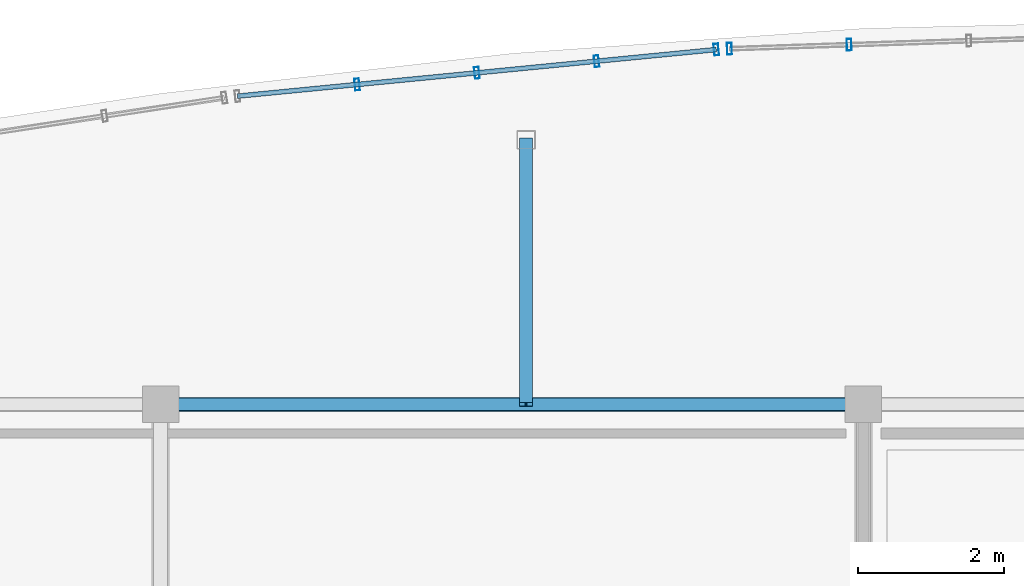
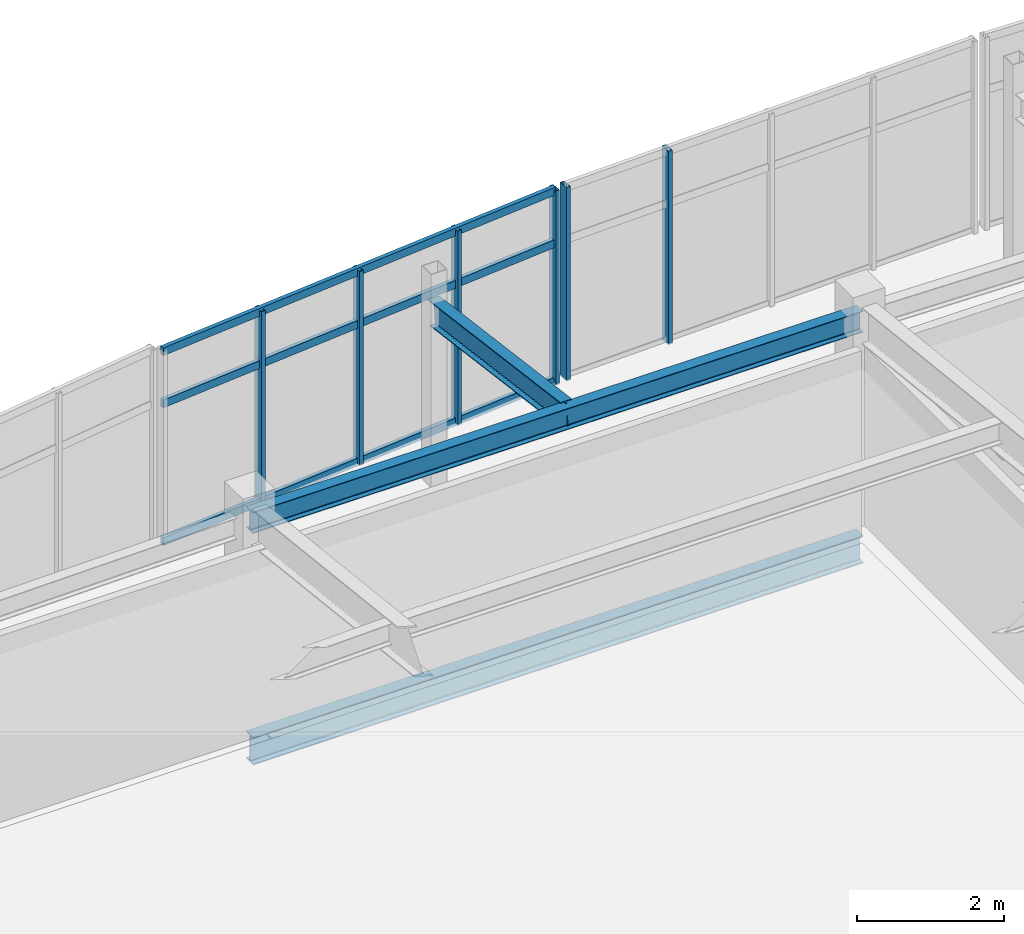
# One storey, part 45 of 65: 11 members, 1 beam, 2 elements without a shape of their own.
"""IFC4 building model written with IfcOpenShell, lengths in metres."""

import ifcopenshell
import ifcopenshell.guid

model = None  # the IFC model being written
_history = None  # IfcOwnerHistory: only IFC2X3 demands one
_inside = {}  # id of a spatial element -> (the spatial element, [elements in it])
_under = {}  # id of a project, library or spatial element -> (it, [spatial elements below it])
_declared = {}  # id of a project -> (the project, [libraries it declares])
_typed = {}  # id of a type object -> (the type object, [elements of that type])
_made_of = {}  # id of a material, layer set ... -> (it, [elements and type objects made of it])


def new_model(schema):
    """Start an empty IFC model of exactly this schema.

    Asked for "IFC4X3", IfcOpenShell would pick the latest addendum, in which some entities
    have other attributes; the version numbers below select the first issue.
    IFC2X3 requires an IfcOwnerHistory on every rooted entity: one is made here for all.
    """
    global model, _history
    if schema == "IFC4X3":
        model = ifcopenshell.file(schema_version=(4, 3, 0, 0))
    else:
        model = ifcopenshell.file(schema=schema)
    _inside.clear()
    _under.clear()
    _declared.clear()
    _typed.clear()
    _made_of.clear()
    _history = None
    if model.schema == "IFC2X3":
        org = make("IfcOrganization", Name="unknown")
        user = make(
            "IfcPersonAndOrganization",
            ThePerson=make("IfcPerson", FamilyName="unknown"),
            TheOrganization=org,
        )
        app = make(
            "IfcApplication",
            ApplicationDeveloper=org,
            Version="unknown",
            ApplicationFullName="unknown",
            ApplicationIdentifier="unknown",
        )
        _history = make(
            "IfcOwnerHistory",
            OwningUser=user,
            OwningApplication=app,
            ChangeAction="ADDED",
            CreationDate=0,
        )
    return model


def make(cls, **values):
    """One entity of the class cls with the attributes given. An attribute that is None is left unset."""
    return model.create_entity(
        cls, **{name: value for name, value in values.items() if value is not None}
    )


def rooted(cls, **values):
    """An entity with a GlobalId (a new one), such as an element, a storey or a relation."""
    return make(cls, GlobalId=ifcopenshell.guid.new(), OwnerHistory=_history, **values)


def si_unit(unit_type, name, prefix=None):
    """IfcSIUnit, for example si_unit("LENGTHUNIT", "METRE", prefix="MILLI")."""
    return make("IfcSIUnit", UnitType=unit_type, Prefix=prefix, Name=name)


def assignment(units):
    """IfcUnitAssignment: the units of a project."""
    return None if units is None else make("IfcUnitAssignment", Units=units)


def point(xyz):
    """IfcCartesianPoint."""
    return None if xyz is None else make("IfcCartesianPoint", Coordinates=xyz)


def direction(xyz):
    """IfcDirection."""
    return None if xyz is None else make("IfcDirection", DirectionRatios=xyz)


def frame(location, z_axis=None, x_axis=None):
    """IfcAxis2Placement3D, a coordinate frame: its origin and axes. An axis left out is left unset."""
    return make(
        "IfcAxis2Placement3D",
        Location=point(location),
        Axis=direction(z_axis),
        RefDirection=direction(x_axis),
    )


def frame_2d(location, x_axis=None):
    """IfcAxis2Placement2D, a coordinate frame in the plane: its origin and x axis."""
    return make(
        "IfcAxis2Placement2D", Location=point(location), RefDirection=direction(x_axis)
    )


def origin():
    """The frame at (0, 0, 0) with its axes left unset."""
    return frame((0.0, 0.0, 0.0))


def origin_2d():
    """The frame at (0, 0) in the plane with its x axis left unset."""
    return frame_2d((0.0, 0.0))


def place(relative_to, where):
    """IfcLocalPlacement: puts the frame where relative to a parent placement (None: the world)."""
    return make(
        "IfcLocalPlacement", PlacementRelTo=relative_to, RelativePlacement=where
    )


def context(
    kind, dimensions, precision=None, world=None, true_north=None, identifier=None
):
    """IfcGeometricRepresentationContext, for example the 3D "Model" context."""
    return make(
        "IfcGeometricRepresentationContext",
        ContextIdentifier=identifier,
        ContextType=kind,
        CoordinateSpaceDimension=dimensions,
        Precision=precision,
        WorldCoordinateSystem=world,
        TrueNorth=true_north,
    )


def subcontext(parent, identifier, kind, view, scale=None):
    """IfcGeometricRepresentationSubContext, for example "Body" below "Model"."""
    return make(
        "IfcGeometricRepresentationSubContext",
        ContextIdentifier=identifier,
        ContextType=kind,
        ParentContext=parent,
        TargetScale=scale,
        TargetView=view,
    )


def project(units=None, contexts=None):
    """IfcProject with its units and contexts."""
    return rooted(
        "IfcProject",
        Name="project",
        RepresentationContexts=contexts,
        UnitsInContext=assignment(units),
    )


def spatial(cls, under=None, at=None, **own):
    """A site, building, storey or space (cls), placed at a placement, below another one or the project."""
    s = rooted(cls, ObjectPlacement=at, **own)
    if under is not None:
        _under.setdefault(under.id(), (under, []))[1].append(s)
    return s


def profile(cls, at=None, kind="AREA", **sizes):
    """A parametric profile (cls). Its sizes go by their IFC names, for example OverallWidth=200.0."""
    return make(cls, ProfileType=kind, Position=at, **sizes)


def hollow_rectangle(**sizes):
    """IfcRectangleHollowProfileDef."""
    return profile("IfcRectangleHollowProfileDef", **sizes)


def i_section(**sizes):
    """IfcIShapeProfileDef."""
    return profile("IfcIShapeProfileDef", **sizes)


def extrude(swept, where, along, depth):
    """IfcExtrudedAreaSolid: the profile swept, set in the frame where, extruded along a direction by depth."""
    return make(
        "IfcExtrudedAreaSolid",
        SweptArea=swept,
        Position=where,
        ExtrudedDirection=direction(along),
        Depth=depth,
    )


def shape(context_of_items, identifier, shape_type, items):
    """IfcShapeRepresentation: the items that make up one representation, for example the "Body"."""
    return make(
        "IfcShapeRepresentation",
        ContextOfItems=context_of_items,
        RepresentationIdentifier=identifier,
        RepresentationType=shape_type,
        Items=items,
    )


def material(Name=None, Category=None):
    """IfcMaterial."""
    return make("IfcMaterial", Name=Name, Category=Category)


def layer(
    of_material, thickness, ventilated=None, Name=None, Category=None, Priority=None
):
    """IfcMaterialLayer: one layer of a wall or slab, of a material (None: an air gap)."""
    return make(
        "IfcMaterialLayer",
        Material=of_material,
        LayerThickness=thickness,
        IsVentilated=ventilated,
        Name=Name,
        Category=Category,
        Priority=Priority,
    )


def layer_set(layers, Name=None):
    """IfcMaterialLayerSet."""
    return make("IfcMaterialLayerSet", MaterialLayers=layers, LayerSetName=Name)


def material_profile(
    of_material, cross_section, Name=None, Category=None, Priority=None
):
    """IfcMaterialProfile: a cross section and its material."""
    return make(
        "IfcMaterialProfile",
        Name=Name,
        Material=of_material,
        Profile=cross_section,
        Priority=Priority,
        Category=Category,
    )


def profile_set(profiles, Name=None, composite=None):
    """IfcMaterialProfileSet."""
    return make(
        "IfcMaterialProfileSet",
        Name=Name,
        MaterialProfiles=profiles,
        CompositeProfile=composite,
    )


def made_of(thing, what):
    """Note that an element or type object is made of a material, layer set ...; save() writes the relation."""
    if what is not None:
        _made_of.setdefault(what.id(), (what, []))[1].append(thing)
    return thing


def type_object(cls, material=None, **own):
    """A type object (cls), such as IfcWallType, which elements share."""
    return made_of(rooted(cls, **own), material)


def element(
    cls,
    number,
    at=None,
    inside=None,
    cuts=None,
    type_object=None,
    material=None,
    context=None,
    identifier="Body",
    shape_type=None,
    held_by="IfcProductDefinitionShape",
    body=None,
    shapes=None,
    **own,
):
    """One element of the class cls, such as IfcWall. Its Tag is "e" and its number.

    at: its placement. inside: the storey or other place that contains it. cuts: it is an
    opening in that element (IfcRelVoidsElement). A single representation is given by context,
    identifier, shape_type and body (its items); several are given by shapes. held_by: the class
    of the entity that holds the representations. save() writes the other relations.
    """
    e = rooted(cls, Tag="e%d" % number, ObjectPlacement=at, **own)
    if body is not None:
        shapes = [shape(context, identifier, shape_type, body)]
    if shapes is not None:
        e.Representation = make(held_by, Representations=shapes)
    if inside is not None:
        _inside.setdefault(inside.id(), (inside, []))[1].append(e)
    if cuts is not None:
        rooted(
            "IfcRelVoidsElement", RelatingBuildingElement=cuts, RelatedOpeningElement=e
        )
    if type_object is not None:
        _typed.setdefault(type_object.id(), (type_object, []))[1].append(e)
    return made_of(e, material)


def aggregate(whole, parts):
    """IfcRelAggregates: a whole, such as a stair, and the parts it consists of."""
    return rooted("IfcRelAggregates", RelatingObject=whole, RelatedObjects=parts)


def save(model, path):
    """Write the relations noted so far, then the file.

    IfcRelAggregates (storeys below a building ...), IfcRelContainedInSpatialStructure (elements
    in a storey), IfcRelDefinesByType, IfcRelAssociatesMaterial and IfcRelDeclares: one each for
    every whole, place, type object, material and project.
    """
    for whole, parts in _under.values():
        aggregate(whole, parts)
    for where, things in _inside.values():
        rooted(
            "IfcRelContainedInSpatialStructure",
            RelatedElements=things,
            RelatingStructure=where,
        )
    for kind, things in _typed.values():
        rooted("IfcRelDefinesByType", RelatedObjects=things, RelatingType=kind)
    for what, things in _made_of.values():
        rooted("IfcRelAssociatesMaterial", RelatedObjects=things, RelatingMaterial=what)
    for by, libraries in _declared.values():
        rooted("IfcRelDeclares", RelatingContext=by, RelatedDefinitions=libraries)
    model.write(path)


model = new_model("IFC4")

# Units and contexts
model_context = context("Model", 3, precision=1e-05, world=origin(), true_north=direction((0.0, 1.0)))
body_context = subcontext(model_context, "Body", "Model", "MODEL_VIEW")
ifc_project = project(units=[si_unit("LENGTHUNIT", "METRE"), si_unit("AREAUNIT", "SQUARE_METRE"), si_unit("VOLUMEUNIT", "CUBIC_METRE"), si_unit("PLANEANGLEUNIT", "RADIAN"), si_unit("MASSUNIT", "GRAM", prefix="KILO")], contexts=[model_context])

# Site, building, storey
site_placement = place(None, origin())
site = spatial("IfcSite", under=ifc_project, at=site_placement, CompositionType="ELEMENT")
building_placement = place(site_placement, origin())
building = spatial("IfcBuilding", under=site, at=building_placement, Name="Chalmorin Arch Market", CompositionType="ELEMENT")
storey_placement = place(building_placement, frame((0.0, 0.0, 14.10009765625)))
storey = spatial("IfcBuildingStorey", under=building, at=storey_placement, Name="L03", CompositionType="ELEMENT", Elevation=14.10009765625)

# Curtain wall, members
ifc_material_1 = material(Name="Aluminium 6063-T6", Category="aluminium")
ifc_layer_1 = layer(ifc_material_1, 0.159912109375)
ifc_layer_set_1 = layer_set([ifc_layer_1], Name="Aluminium 6063-T6")
curtain_wall_type_1 = type_object("IfcCurtainWallType", Name="CulinaryStudioCurtainWall-CW3-6570x3230", PredefinedType="NOTDEFINED", material=ifc_layer_set_1)
curtain_wall_1_placement = place(storey_placement, origin())
curtain_wall_1 = element("IfcCurtainWall", 1, at=curtain_wall_1_placement, inside=storey, type_object=curtain_wall_type_1, Name="CW-03-132", PredefinedType="NOTDEFINED")
ifc_material_profile_1 = material_profile(ifc_material_1, hollow_rectangle(XDim=0.06494140625, YDim=0.159912109375, WallThickness=0.00390625, at=origin_2d()), Name="ALU65X160X4")
ifc_profile_set_1 = profile_set([ifc_material_profile_1], Name="Aluminium 6063-T6")
member_type_1 = type_object("IfcMemberType", Name="CurtainWallMullion-65x160", PredefinedType="MULLION", material=ifc_profile_set_1)
member_1_placement = place(storey_placement, frame((69.884765625, 122.368896484375, -0.02001953125), z_axis=(0.0, 0.0, 1.0), x_axis=(0.994521895368, 0.104528463268, 0.0)))
member_1 = element("IfcMember", 2, at=member_1_placement, type_object=member_type_1, Name="ML-132-02", PredefinedType="MULLION", context=body_context, shape_type="SweptSolid", body=[
    extrude(hollow_rectangle(XDim=0.06494140625, YDim=0.159912109375, WallThickness=0.00390625, at=origin_2d()), origin(), (0.0, 0.0, 1.0), 3.22998046875),
])
member_2_placement = place(storey_placement, frame((71.52001953125, 122.528076171875, -0.02001953125), z_axis=(0.0, 0.0, 1.0), x_axis=(0.994521895368, 0.104528463268, 0.0)))
member_2 = element("IfcMember", 3, at=member_2_placement, type_object=member_type_1, Name="ML-132-03", PredefinedType="MULLION", context=body_context, shape_type="SweptSolid", body=[
    extrude(hollow_rectangle(XDim=0.06494140625, YDim=0.159912109375, WallThickness=0.00390625, at=origin_2d()), origin(), (0.0, 0.0, 1.0), 3.22998046875),
])
member_3_placement = place(storey_placement, frame((73.1552734375, 122.687255859375, -0.02001953125), z_axis=(0.0, 0.0, 1.0), x_axis=(0.994521895368, 0.104528463268, 0.0)))
member_3 = element("IfcMember", 4, at=member_3_placement, type_object=member_type_1, Name="ML-132-04", PredefinedType="MULLION", context=body_context, shape_type="SweptSolid", body=[
    extrude(hollow_rectangle(XDim=0.06494140625, YDim=0.159912109375, WallThickness=0.00390625, at=origin_2d()), origin(), (0.0, 0.0, 1.0), 3.22998046875),
])
member_4_placement = place(storey_placement, frame((74.790283203125, 122.84619140625, -0.02001953125), z_axis=(0.0, 0.0, 1.0), x_axis=(0.994521895368, 0.104528463268, 0.0)))
member_4 = element("IfcMember", 5, at=member_4_placement, type_object=member_type_1, Name="ML-132-05", PredefinedType="MULLION", context=body_context, shape_type="SweptSolid", body=[
    extrude(hollow_rectangle(XDim=0.06494140625, YDim=0.159912109375, WallThickness=0.00390625, at=origin_2d()), origin(), (0.0, 0.0, 1.0), 3.22998046875),
])

ifc_layer_2 = layer(ifc_material_1, 0.159912109375)
ifc_layer_set_2 = layer_set([ifc_layer_2], Name="Aluminium 6063-T6")
curtain_wall_type_2 = type_object("IfcCurtainWallType", Name="CulinaryStudioCurtainWall-CW3-6540x3220", PredefinedType="NOTDEFINED", material=ifc_layer_set_2)
curtain_wall_2_placement = place(storey_placement, origin())
curtain_wall_2 = element("IfcCurtainWall", 6, at=curtain_wall_2_placement, inside=storey, type_object=curtain_wall_type_2, Name="CW-03-135", PredefinedType="NOTDEFINED")
member_5_placement = place(storey_placement, frame((74.969970703125, 122.85791015625, -0.02001953125), z_axis=(0.0, 0.0, 1.0), x_axis=(0.999390827019, 0.034899496703, 0.0)))
member_5 = element("IfcMember", 7, at=member_5_placement, type_object=member_type_1, Name="ML-135-01", PredefinedType="MULLION", context=body_context, shape_type="SweptSolid", body=[
    extrude(hollow_rectangle(XDim=0.06494140625, YDim=0.159912109375, WallThickness=0.00390625, at=origin_2d()), origin(), (0.0, 0.0, 1.0), 3.219970703125),
])
member_6_placement = place(storey_placement, frame((76.60498046875, 122.912841796875, -0.02001953125), z_axis=(0.0, 0.0, 1.0), x_axis=(0.999390827019, 0.034899496703, 0.0)))
member_6 = element("IfcMember", 8, at=member_6_placement, type_object=member_type_1, Name="ML-135-02", PredefinedType="MULLION", context=body_context, shape_type="SweptSolid", body=[
    extrude(hollow_rectangle(XDim=0.06494140625, YDim=0.159912109375, WallThickness=0.00390625, at=origin_2d()), origin(), (0.0, 0.0, 1.0), 3.219970703125),
])
aggregate(curtain_wall_2, [member_5, member_6])

# Member
ifc_material_profile_2 = material_profile(ifc_material_1, hollow_rectangle(XDim=0.06494140625, YDim=0.1298828125, WallThickness=0.00390625, at=origin_2d()), Name="ALU65X130X4")
ifc_profile_set_2 = profile_set([ifc_material_profile_2], Name="Aluminium 6063-T6")
member_type_2 = type_object("IfcMemberType", Name="CurtainWallTransom-65x130", PredefinedType="USERDEFINED", material=ifc_profile_set_2)
member_7_placement = place(storey_placement, frame((68.24951171875, 122.209716796875, 0.014892578125), z_axis=(0.995298859057, 0.096851335357, 0.0), x_axis=(-0.096851335357, 0.995298859057, 0.0)))
member_7 = element("IfcMember", 9, at=member_7_placement, type_object=member_type_2, Name="TR-132-01", ObjectType="TRANSOM", PredefinedType="USERDEFINED", context=body_context, shape_type="SweptSolid", body=[
    extrude(hollow_rectangle(XDim=0.06494140625, YDim=0.1298828125, WallThickness=0.00390625, at=origin_2d()), origin(), (0.0, 0.0, 1.0), 6.57177734375),
])

member_8_placement = place(storey_placement, frame((68.24951171875, 122.209716796875, 2.305419921875), z_axis=(0.995298859057, 0.096851335357, 0.0), x_axis=(-0.096851335357, 0.995298859057, 0.0)))
member_8 = element("IfcMember", 10, at=member_8_placement, type_object=member_type_2, Name="TR-132-02", ObjectType="TRANSOM", PredefinedType="USERDEFINED", context=body_context, shape_type="SweptSolid", body=[
    extrude(hollow_rectangle(XDim=0.06494140625, YDim=0.1298828125, WallThickness=0.00390625, at=origin_2d()), origin(), (0.0, 0.0, 1.0), 6.57177734375),
])

member_9_placement = place(storey_placement, frame((68.24951171875, 122.209716796875, 3.1748046875), z_axis=(0.995298859057, 0.096851335357, 0.0), x_axis=(-0.096851335357, 0.995298859057, 0.0)))
member_9 = element("IfcMember", 11, at=member_9_placement, type_object=member_type_2, Name="TR-132-03", ObjectType="TRANSOM", PredefinedType="USERDEFINED", context=body_context, shape_type="SweptSolid", body=[
    extrude(hollow_rectangle(XDim=0.06494140625, YDim=0.1298828125, WallThickness=0.00390625, at=origin_2d()), origin(), (0.0, 0.0, 1.0), 6.57177734375),
])

aggregate(curtain_wall_1, [member_1, member_2, member_3, member_4, member_7, member_8, member_9])

# Beam
ifc_material_2 = material(Name="Steel A992 Grade 50", Category="steel")
ifc_material_profile_3 = material_profile(ifc_material_2, i_section(OverallWidth=0.19091796875, OverallDepth=0.45703125, WebThickness=0.009033203125, FlangeThickness=0.014404296875, FilletRadius=0.02001953125, at=origin_2d()), Name="W18X50")
ifc_profile_set_3 = profile_set([ifc_material_profile_3], Name="Steel A992 Grade 50")
beam_type = type_object("IfcBeamType", Name="PerimeterSpandrelBeam-W18X50", PredefinedType="SPANDREL", material=ifc_profile_set_3)
beam_placement = place(storey_placement, frame((67.199951171875, 118.0, -0.510498046875), z_axis=(1.0, 0.0, 0.0), x_axis=(0.0, 1.0, 0.0)))
element("IfcBeam", 12, at=beam_placement, inside=storey, type_object=beam_type, Name="SP-W18-1413", PredefinedType="SPANDREL", context=body_context, shape_type="SweptSolid", body=[
    extrude(i_section(OverallWidth=0.19091796875, OverallDepth=0.45703125, WebThickness=0.009033203125, FlangeThickness=0.014404296875, FilletRadius=0.02001953125, at=origin_2d()), origin(), (0.0, 0.0, 1.0), 9.60009765625),
])

# Members
ifc_material_profile_4 = material_profile(ifc_material_2, i_section(OverallWidth=0.1708984375, OverallDepth=0.35107421875, WebThickness=0.0068359375, FlangeThickness=0.009765625, FilletRadius=0.014892578125, at=origin_2d()), Name="W14X30")
ifc_profile_set_4 = profile_set([ifc_material_profile_4], Name="Steel A992 Grade 50")
member_type_3 = type_object("IfcMemberType", Name="RoofSteelPurlin-W14X30", PredefinedType="PURLIN", material=ifc_profile_set_4)
member_10_placement = place(storey_placement, frame((67.199951171875, 118.0, 3.281005859375), z_axis=(0.999999456417, 0.0, -0.001042672746), x_axis=(0.0, 1.0, 0.0)))
element("IfcMember", 13, at=member_10_placement, inside=storey, type_object=member_type_3, Name="PR-W14-0121", PredefinedType="PURLIN", context=body_context, shape_type="SweptSolid", body=[
    extrude(i_section(OverallWidth=0.1708984375, OverallDepth=0.35107421875, WebThickness=0.0068359375, FlangeThickness=0.009765625, FilletRadius=0.014892578125, at=origin_2d()), origin(), (0.0, 0.0, 1.0), 9.60009765625),
])
ifc_material_profile_5 = material_profile(ifc_material_2, i_section(OverallWidth=0.178955078125, OverallDepth=0.409912109375, WebThickness=0.0087890625, FlangeThickness=0.014404296875, FilletRadius=0.01806640625, at=origin_2d()), Name="W16X45")
ifc_profile_set_5 = profile_set([ifc_material_profile_5], Name="Steel A992 Grade 50")
member_type_4 = type_object("IfcMemberType", Name="RoofSteelPurlin-W16X45", PredefinedType="PURLIN", material=ifc_profile_set_5)
member_11_placement = place(storey_placement, frame((72.19189453125, 121.612060546875, 2.822021484375), z_axis=(0.0, -0.991434440654, 0.130605321043), x_axis=(1.0, 0.0, 0.0)))
element("IfcMember", 14, at=member_11_placement, inside=storey, type_object=member_type_4, Name="PR-W16-0129", PredefinedType="PURLIN", context=body_context, shape_type="SweptSolid", body=[
    extrude(i_section(OverallWidth=0.178955078125, OverallDepth=0.409912109375, WebThickness=0.0087890625, FlangeThickness=0.014404296875, FilletRadius=0.01806640625, at=origin_2d()), origin(), (0.0, 0.0, 1.0), 3.643310546875),
])

save(model, "model.ifc")
